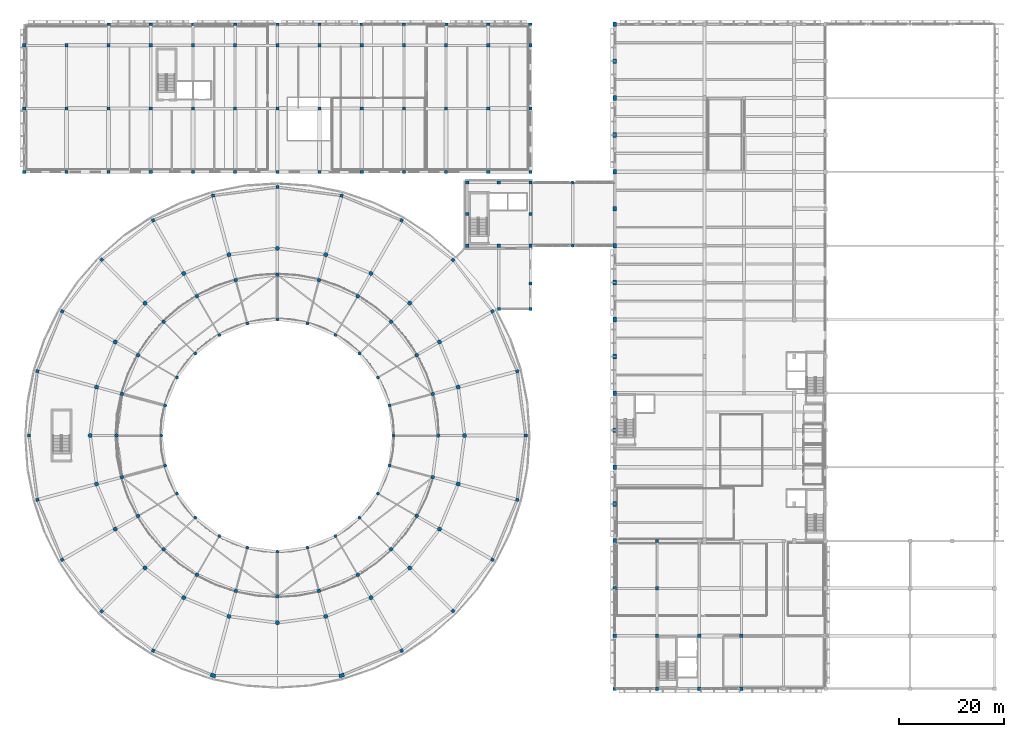
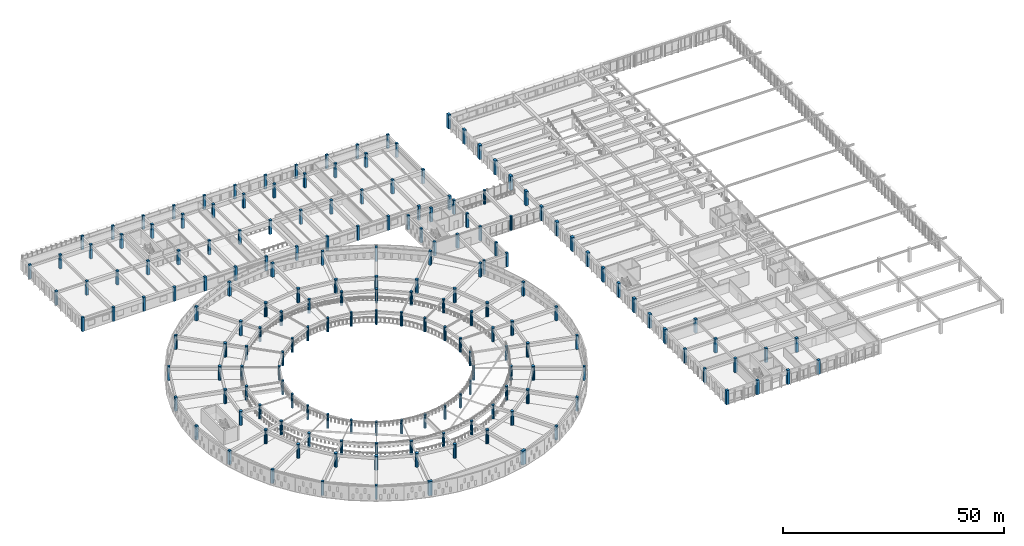
# One storey, part 1 of 98: 184 columns.
"""IFC4 building model written with IfcOpenShell, lengths in metres."""

from ifc_helpers import new_model, si_unit, direction, frame, origin, origin_2d, place, context, subcontext, project, spatial, rectangle, circle, extrude, material, material_profile, profile_set, type_object, element, save


model = new_model("IFC4")

# Units and contexts
model_context = context("Model", 3, precision=1e-05, world=origin(), true_north=direction((0.0, 1.0)))
body_context = subcontext(model_context, "Body", "Model", "MODEL_VIEW")
ifc_project = project(units=[si_unit("LENGTHUNIT", "METRE"), si_unit("AREAUNIT", "SQUARE_METRE"), si_unit("VOLUMEUNIT", "CUBIC_METRE"), si_unit("PLANEANGLEUNIT", "RADIAN"), si_unit("MASSUNIT", "GRAM", prefix="KILO")], contexts=[model_context])

# Site, building, storey
site_placement = place(None, origin())
site = spatial("IfcSite", under=ifc_project, at=site_placement, CompositionType="ELEMENT")
building_placement = place(site_placement, origin())
building = spatial("IfcBuilding", under=site, at=building_placement, Name="Larkveld Mobility Hub", CompositionType="ELEMENT")
storey_placement = place(building_placement, frame((0.0, 0.0, 4.5)))
storey = spatial("IfcBuildingStorey", under=building, at=storey_placement, Name="L01", CompositionType="ELEMENT", Elevation=4.5)

# Columns
ifc_material_1 = material(Name="Precast concrete C50/60", Category="concrete")
ifc_material_profile_1 = material_profile(ifc_material_1, rectangle(XDim=0.64990234375, YDim=0.89990234375, at=origin_2d()), Name="RC COL 650x900")
ifc_profile_set_1 = profile_set([ifc_material_profile_1], Name="Precast concrete C50/60")
column_type_1 = type_object("IfcColumnType", Name="CL-PC6590", PredefinedType="COLUMN", material=ifc_profile_set_1)
for number, where, z_axis, x_axis, name in (
    (1, (112.0, 28.0, 0.0), (0.0, 0.0, 1.0), (1.0, 0.0, 0.0), "Column EV-X112-Y28 (L01)"),
    (2, (112.0, 35.0, 0.0), (0.0, 0.0, 1.0), (1.0, 0.0, 0.0), "Column EV-X112-Y35 (L01)"),
    (3, (112.0, 42.0, 0.0), (0.0, 0.0, 1.0), (1.0, 0.0, 0.0), "Column EV-X112-Y42 (L01)"),
    (4, (112.0, 49.0, 0.0), (0.0, 0.0, 1.0), (1.0, 0.0, 0.0), "Column EV-X112-Y49 (L01)"),
    (5, (112.0, 56.0, 0.0), (0.0, 0.0, 1.0), (1.0, 0.0, 0.0), "Column EV-X112-Y56 (L01)"),
    (6, (112.0, 63.0, 0.0), (0.0, 0.0, 1.0), (1.0, 0.0, 0.0), "Column EV-X112-Y63 (L01)"),
    (7, (112.0, 70.0, 0.0), (0.0, 0.0, 1.0), (1.0, 0.0, 0.0), "Column EV-X112-Y70 (L01)"),
    (8, (112.0, 77.0, 0.0), (0.0, 0.0, 1.0), (1.0, 0.0, 0.0), "Column EV-X112-Y77 (L01)"),
    (9, (112.0, 84.0, 0.0), (0.0, 0.0, 1.0), (1.0, 0.0, 0.0), "Column EV-X112-Y84 (L01)"),
    (10, (112.0, 91.0, 0.0), (0.0, 0.0, 1.0), (1.0, 0.0, 0.0), "Column EV-X112-Y91 (L01)"),
    (11, (112.0, 98.0, 0.0), (0.0, 0.0, 1.0), (1.0, 0.0, 0.0), "Column EV-X112-Y98 (L01)"),
    (12, (112.0, 105.0, 0.0), (0.0, 0.0, 1.0), (1.0, 0.0, 0.0), "Column EV-X112-Y105 (L01)"),
    (13, (112.0, 112.0, 0.0), (0.0, 0.0, 1.0), (1.0, 0.0, 0.0), "Column EV-X112-Y112 (L01)"),
    (14, (112.0, 119.0, 0.0), (0.0, 0.0, 1.0), (1.0, 0.0, 0.0), "Column EV-X112-Y119 (L01)"),
    (15, (112.0, 126.0, 0.0), (0.0, 0.0, 1.0), (1.0, 0.0, 0.0), "Column EV-X112-Y126 (L01)"),
):
    element("IfcColumn", number, at=place(storey_placement, frame(where, z_axis=z_axis, x_axis=x_axis)), inside=storey, type_object=column_type_1, Name=name, PredefinedType="COLUMN", context=body_context, shape_type="SweptSolid", body=[
        extrude(rectangle(XDim=0.64990234375, YDim=0.89990234375, at=origin_2d()), origin(), (0.0, 0.0, 1.0), 3.89990234375),
    ])
ifc_material_profile_2 = material_profile(ifc_material_1, rectangle(XDim=0.449951171875, YDim=0.64990234375, at=origin_2d()), Name="PC PIL 450x650")
ifc_profile_set_2 = profile_set([ifc_material_profile_2], Name="Precast concrete C50/60")
column_type_2 = type_object("IfcColumnType", Name="CL-PIL4565", PredefinedType="PILASTER", material=ifc_profile_set_2)
for number, where, z_axis, x_axis, name in (
    (16, (16.0, 126.0, 0.0), (0.0, 0.0, 1.0), (0.0, 1.0, 0.0), "Column V5-PIL-X16 (L01)"),
    (17, (24.0, 126.0, 0.0), (0.0, 0.0, 1.0), (0.0, 1.0, 0.0), "Column V5-PIL-X24 (L01)"),
    (18, (32.0, 126.0, 0.0), (0.0, 0.0, 1.0), (0.0, 1.0, 0.0), "Column V5-PIL-X32 (L01)"),
    (19, (40.0, 126.0, 0.0), (0.0, 0.0, 1.0), (0.0, 1.0, 0.0), "Column V5-PIL-X40 (L01)"),
    (20, (48.0, 126.0, 0.0), (0.0, 0.0, 1.0), (0.0, 1.0, 0.0), "Column V5-PIL-X48 (L01)"),
    (21, (56.0, 126.0, 0.0), (0.0, 0.0, 1.0), (0.0, 1.0, 0.0), "Column V5-PIL-X56 (L01)"),
    (22, (64.0, 126.0, 0.0), (0.0, 0.0, 1.0), (0.0, 1.0, 0.0), "Column V5-PIL-X64 (L01)"),
    (23, (72.0, 126.0, 0.0), (0.0, 0.0, 1.0), (0.0, 1.0, 0.0), "Column V5-PIL-X72 (L01)"),
    (24, (80.0, 126.0, 0.0), (0.0, 0.0, 1.0), (0.0, 1.0, 0.0), "Column V5-PIL-X80 (L01)"),
    (25, (88.0, 126.0, 0.0), (0.0, 0.0, 1.0), (0.0, 1.0, 0.0), "Column V5-PIL-X88 (L01)"),
    (26, (96.0, 126.0, 0.0), (0.0, 0.0, 1.0), (0.0, 1.0, 0.0), "Column V5-PIL-X96 (L01)"),
):
    element("IfcColumn", number, at=place(storey_placement, frame(where, z_axis=z_axis, x_axis=x_axis)), inside=storey, type_object=column_type_2, Name=name, PredefinedType="PILASTER", context=body_context, shape_type="SweptSolid", body=[
        extrude(rectangle(XDim=0.449951171875, YDim=0.64990234375, at=origin_2d()), origin(), (0.0, 0.0, 1.0), 3.89990234375),
    ])
ifc_material_profile_3 = material_profile(ifc_material_1, rectangle(XDim=0.699951171875, YDim=1.0, at=origin_2d()), Name="PC PIL 700x1000")
ifc_profile_set_3 = profile_set([ifc_material_profile_3], Name="Precast concrete C50/60")
column_type_3 = type_object("IfcColumnType", Name="CL-PIL7010", PredefinedType="PILASTER", material=ifc_profile_set_3)
for number, where, z_axis, x_axis, name in (
    (27, (35.81005859375, 2.5048828125, 0.0), (0.0, 0.0, 1.0), (0.258819045103, 0.965925826289, 0.0), "Column DRM-R47-K34 (L01)"),
    (28, (60.18994140625, 2.5048828125, 0.0), (0.0, 0.0, 1.0), (-0.258819045103, 0.965925826289, 0.0), "Column DRM-R47-K38 (L01)"),
):
    element("IfcColumn", number, at=place(storey_placement, frame(where, z_axis=z_axis, x_axis=x_axis)), inside=storey, type_object=column_type_3, Name=name, PredefinedType="PILASTER", context=body_context, shape_type="SweptSolid", body=[
        extrude(rectangle(XDim=0.699951171875, YDim=1.0, at=origin_2d()), origin(), (0.0, 0.0, 1.0), 3.89990234375),
    ])
ifc_material_2 = material(Name="Concrete C40/50", Category="concrete")
ifc_material_profile_4 = material_profile(ifc_material_2, rectangle(XDim=0.550048828125, YDim=0.550048828125, at=origin_2d()), Name="RC COL 550x550")
ifc_profile_set_4 = profile_set([ifc_material_profile_4], Name="Concrete C40/50")
column_type_4 = type_object("IfcColumnType", Name="CL-RC550", PredefinedType="COLUMN", material=ifc_profile_set_4)
for number, where, z_axis, x_axis, name in (
    (29, (90.0, 72.0, 0.0), (0.0, 0.0, 1.0), (1.0, 0.0, 0.0), "Column DLNK-X90-Y72 (L01)"),
    (30, (96.0, 72.0, 0.0), (0.0, 0.0, 1.0), (1.0, 0.0, 0.0), "Column DLNK-X96-Y72 (L01)"),
    (31, (96.0, 76.800048828125, 0.0), (0.0, 0.0, 1.0), (1.0, 0.0, 0.0), "Column DLNK-X96-Y77 (L01)"),
):
    element("IfcColumn", number, at=place(storey_placement, frame(where, z_axis=z_axis, x_axis=x_axis)), inside=storey, type_object=column_type_4, Name=name, PredefinedType="COLUMN", context=body_context, shape_type="SweptSolid", body=[
        extrude(rectangle(XDim=0.550048828125, YDim=0.550048828125, at=origin_2d()), origin(), (0.0, 0.0, 1.0), 3.89990234375),
    ])
ifc_material_profile_5 = material_profile(ifc_material_2, rectangle(XDim=0.60009765625, YDim=0.60009765625, at=origin_2d()), Name="RC COL 600x600")
ifc_profile_set_5 = profile_set([ifc_material_profile_5], Name="Concrete C40/50")
column_type_5 = type_object("IfcColumnType", Name="CL-RC600", PredefinedType="COLUMN", material=ifc_profile_set_5)
for number, where, z_axis, x_axis, name in (
    (32, (95.10009765625, 48.0, 0.0), (0.0, 0.0, 1.0), (1.0, 0.0, 0.0), "Column DRM-R47-K00 (L01)"),
    (33, (93.4951171875, 60.18994140625, 0.0), (0.0, 0.0, 1.0), (0.965925826289, 0.258819045103, 0.0), "Column DRM-R47-K02 (L01)"),
    (34, (88.7900390625, 71.550048828125, 0.0), (0.0, 0.0, 1.0), (0.866025403784, 0.5, 0.0), "Column DRM-R47-K04 (L01)"),
    (35, (81.304931640625, 81.304931640625, 0.0), (0.0, 0.0, 1.0), (0.707106781187, 0.707106781187, 0.0), "Column DRM-R47-K06 (L01)"),
    (36, (71.550048828125, 88.7900390625, 0.0), (0.0, 0.0, 1.0), (0.5, 0.866025403784, 0.0), "Column DRM-R47-K08 (L01)"),
    (37, (60.18994140625, 93.4951171875, 0.0), (0.0, 0.0, 1.0), (0.258819045103, 0.965925826289, 0.0), "Column DRM-R47-K10 (L01)"),
    (38, (48.0, 95.10009765625, 0.0), (0.0, 0.0, 1.0), (0.0, 1.0, 0.0), "Column DRM-R47-K12 (L01)"),
    (39, (35.81005859375, 93.4951171875, 0.0), (0.0, 0.0, 1.0), (-0.258819045103, 0.965925826289, 0.0), "Column DRM-R47-K14 (L01)"),
    (40, (24.449951171875, 88.7900390625, 0.0), (0.0, 0.0, 1.0), (-0.5, 0.866025403784, 0.0), "Column DRM-R47-K16 (L01)"),
    (41, (14.695068359375, 81.304931640625, 0.0), (0.0, 0.0, 1.0), (-0.707106781187, 0.707106781187, 0.0), "Column DRM-R47-K18 (L01)"),
    (42, (7.2099609375, 71.550048828125, 0.0), (0.0, 0.0, 1.0), (-0.866025403784, 0.5, 0.0), "Column DRM-R47-K20 (L01)"),
    (43, (2.5048828125, 60.18994140625, 0.0), (0.0, 0.0, 1.0), (-0.965925826289, 0.258819045103, 0.0), "Column DRM-R47-K22 (L01)"),
    (44, (0.89990234375, 48.0, 0.0), (0.0, 0.0, 1.0), (1.0, 0.0, 0.0), "Column DRM-R47-K24 (L01)"),
    (45, (2.5048828125, 35.81005859375, 0.0), (0.0, 0.0, 1.0), (0.965925826289, 0.258819045103, 0.0), "Column DRM-R47-K26 (L01)"),
    (46, (7.2099609375, 24.449951171875, 0.0), (0.0, 0.0, 1.0), (0.866025403784, 0.5, 0.0), "Column DRM-R47-K28 (L01)"),
    (47, (14.695068359375, 14.695068359375, 0.0), (0.0, 0.0, 1.0), (0.707106781187, 0.707106781187, 0.0), "Column DRM-R47-K30 (L01)"),
    (48, (24.449951171875, 7.2099609375, 0.0), (0.0, 0.0, 1.0), (0.5, 0.866025403784, 0.0), "Column DRM-R47-K32 (L01)"),
    (49, (71.550048828125, 7.2099609375, 0.0), (0.0, 0.0, 1.0), (-0.5, 0.866025403784, 0.0), "Column DRM-R47-K40 (L01)"),
    (50, (81.304931640625, 14.695068359375, 0.0), (0.0, 0.0, 1.0), (-0.707106781187, 0.707106781187, 0.0), "Column DRM-R47-K42 (L01)"),
    (51, (88.7900390625, 24.449951171875, 0.0), (0.0, 0.0, 1.0), (-0.866025403784, 0.5, 0.0), "Column DRM-R47-K44 (L01)"),
    (52, (93.4951171875, 35.81005859375, 0.0), (0.0, 0.0, 1.0), (-0.965925826289, 0.258819045103, 0.0), "Column DRM-R47-K46 (L01)"),
    (53, (84.0, 84.0, 0.0), (0.0, 0.0, 1.0), (1.0, 0.0, 0.0), "Column PAV-X84-Y84 (L01)"),
    (54, (84.0, 90.0, 0.0), (0.0, 0.0, 1.0), (1.0, 0.0, 0.0), "Column PAV-X84-Y90 (L01)"),
    (55, (84.0, 96.0, 0.0), (0.0, 0.0, 1.0), (1.0, 0.0, 0.0), "Column PAV-X84-Y96 (L01)"),
    (56, (90.0, 84.0, 0.0), (0.0, 0.0, 1.0), (1.0, 0.0, 0.0), "Column PAV-X90-Y84 (L01)"),
    (57, (90.0, 96.0, 0.0), (0.0, 0.0, 1.0), (1.0, 0.0, 0.0), "Column PAV-X90-Y96 (L01)"),
    (58, (96.0, 84.0, 0.0), (0.0, 0.0, 1.0), (1.0, 0.0, 0.0), "Column PAV-X96-Y84 (L01)"),
    (59, (96.0, 90.0, 0.0), (0.0, 0.0, 1.0), (1.0, 0.0, 0.0), "Column PAV-X96-Y90 (L01)"),
    (60, (96.0, 96.0, 0.0), (0.0, 0.0, 1.0), (1.0, 0.0, 0.0), "Column PAV-X96-Y96 (L01)"),
    (61, (0.0, 98.0, 0.0), (0.0, 0.0, 1.0), (1.0, 0.0, 0.0), "Column V5-X0-Y98 (L01)"),
    (62, (0.0, 110.0, 0.0), (0.0, 0.0, 1.0), (1.0, 0.0, 0.0), "Column V5-X0-Y110 (L01)"),
    (63, (0.0, 122.0, 0.0), (0.0, 0.0, 1.0), (1.0, 0.0, 0.0), "Column V5-X0-Y122 (L01)"),
    (64, (8.0, 98.0, 0.0), (0.0, 0.0, 1.0), (1.0, 0.0, 0.0), "Column V5-X8-Y98 (L01)"),
    (65, (8.0, 110.0, 0.0), (0.0, 0.0, 1.0), (1.0, 0.0, 0.0), "Column V5-X8-Y110 (L01)"),
    (66, (8.0, 122.0, 0.0), (0.0, 0.0, 1.0), (1.0, 0.0, 0.0), "Column V5-X8-Y122 (L01)"),
    (67, (16.0, 98.0, 0.0), (0.0, 0.0, 1.0), (1.0, 0.0, 0.0), "Column V5-X16-Y98 (L01)"),
    (68, (16.0, 110.0, 0.0), (0.0, 0.0, 1.0), (1.0, 0.0, 0.0), "Column V5-X16-Y110 (L01)"),
    (69, (16.0, 122.0, 0.0), (0.0, 0.0, 1.0), (1.0, 0.0, 0.0), "Column V5-X16-Y122 (L01)"),
    (70, (24.0, 98.0, 0.0), (0.0, 0.0, 1.0), (1.0, 0.0, 0.0), "Column V5-X24-Y98 (L01)"),
    (71, (24.0, 110.0, 0.0), (0.0, 0.0, 1.0), (1.0, 0.0, 0.0), "Column V5-X24-Y110 (L01)"),
    (72, (24.0, 122.0, 0.0), (0.0, 0.0, 1.0), (1.0, 0.0, 0.0), "Column V5-X24-Y122 (L01)"),
    (73, (32.0, 98.0, 0.0), (0.0, 0.0, 1.0), (1.0, 0.0, 0.0), "Column V5-X32-Y98 (L01)"),
    (74, (32.0, 110.0, 0.0), (0.0, 0.0, 1.0), (1.0, 0.0, 0.0), "Column V5-X32-Y110 (L01)"),
    (75, (32.0, 122.0, 0.0), (0.0, 0.0, 1.0), (1.0, 0.0, 0.0), "Column V5-X32-Y122 (L01)"),
    (76, (40.0, 98.0, 0.0), (0.0, 0.0, 1.0), (1.0, 0.0, 0.0), "Column V5-X40-Y98 (L01)"),
    (77, (40.0, 110.0, 0.0), (0.0, 0.0, 1.0), (1.0, 0.0, 0.0), "Column V5-X40-Y110 (L01)"),
    (78, (40.0, 122.0, 0.0), (0.0, 0.0, 1.0), (1.0, 0.0, 0.0), "Column V5-X40-Y122 (L01)"),
    (79, (48.0, 98.0, 0.0), (0.0, 0.0, 1.0), (1.0, 0.0, 0.0), "Column V5-X48-Y98 (L01)"),
    (80, (48.0, 110.0, 0.0), (0.0, 0.0, 1.0), (1.0, 0.0, 0.0), "Column V5-X48-Y110 (L01)"),
    (81, (48.0, 122.0, 0.0), (0.0, 0.0, 1.0), (1.0, 0.0, 0.0), "Column V5-X48-Y122 (L01)"),
    (82, (56.0, 98.0, 0.0), (0.0, 0.0, 1.0), (1.0, 0.0, 0.0), "Column V5-X56-Y98 (L01)"),
    (83, (56.0, 110.0, 0.0), (0.0, 0.0, 1.0), (1.0, 0.0, 0.0), "Column V5-X56-Y110 (L01)"),
    (84, (56.0, 122.0, 0.0), (0.0, 0.0, 1.0), (1.0, 0.0, 0.0), "Column V5-X56-Y122 (L01)"),
    (85, (64.0, 98.0, 0.0), (0.0, 0.0, 1.0), (1.0, 0.0, 0.0), "Column V5-X64-Y98 (L01)"),
    (86, (64.0, 110.0, 0.0), (0.0, 0.0, 1.0), (1.0, 0.0, 0.0), "Column V5-X64-Y110 (L01)"),
    (87, (64.0, 122.0, 0.0), (0.0, 0.0, 1.0), (1.0, 0.0, 0.0), "Column V5-X64-Y122 (L01)"),
    (88, (72.0, 98.0, 0.0), (0.0, 0.0, 1.0), (1.0, 0.0, 0.0), "Column V5-X72-Y98 (L01)"),
    (89, (72.0, 110.0, 0.0), (0.0, 0.0, 1.0), (1.0, 0.0, 0.0), "Column V5-X72-Y110 (L01)"),
    (90, (72.0, 122.0, 0.0), (0.0, 0.0, 1.0), (1.0, 0.0, 0.0), "Column V5-X72-Y122 (L01)"),
    (91, (80.0, 98.0, 0.0), (0.0, 0.0, 1.0), (1.0, 0.0, 0.0), "Column V5-X80-Y98 (L01)"),
    (92, (80.0, 110.0, 0.0), (0.0, 0.0, 1.0), (1.0, 0.0, 0.0), "Column V5-X80-Y110 (L01)"),
    (93, (80.0, 122.0, 0.0), (0.0, 0.0, 1.0), (1.0, 0.0, 0.0), "Column V5-X80-Y122 (L01)"),
    (94, (88.0, 98.0, 0.0), (0.0, 0.0, 1.0), (1.0, 0.0, 0.0), "Column V5-X88-Y98 (L01)"),
    (95, (88.0, 110.0, 0.0), (0.0, 0.0, 1.0), (1.0, 0.0, 0.0), "Column V5-X88-Y110 (L01)"),
    (96, (88.0, 122.0, 0.0), (0.0, 0.0, 1.0), (1.0, 0.0, 0.0), "Column V5-X88-Y122 (L01)"),
    (97, (96.0, 98.0, 0.0), (0.0, 0.0, 1.0), (1.0, 0.0, 0.0), "Column V5-X96-Y98 (L01)"),
    (98, (96.0, 110.0, 0.0), (0.0, 0.0, 1.0), (1.0, 0.0, 0.0), "Column V5-X96-Y110 (L01)"),
    (99, (96.0, 122.0, 0.0), (0.0, 0.0, 1.0), (1.0, 0.0, 0.0), "Column V5-X96-Y122 (L01)"),
):
    element("IfcColumn", number, at=place(storey_placement, frame(where, z_axis=z_axis, x_axis=x_axis)), inside=storey, type_object=column_type_5, Name=name, PredefinedType="COLUMN", context=body_context, shape_type="SweptSolid", body=[
        extrude(rectangle(XDim=0.60009765625, YDim=0.60009765625, at=origin_2d()), origin(), (0.0, 0.0, 1.0), 3.89990234375),
    ])
ifc_material_profile_6 = material_profile(ifc_material_2, rectangle(XDim=0.64990234375, YDim=0.64990234375, at=origin_2d()), Name="RC COL 650x650")
ifc_profile_set_6 = profile_set([ifc_material_profile_6], Name="Concrete C40/50")
column_type_6 = type_object("IfcColumnType", Name="CL-RC650", PredefinedType="COLUMN", material=ifc_profile_set_6)
for number, where, z_axis, x_axis, name in (
    (100, (112.0, 0.0, 0.0), (0.0, 0.0, 1.0), (1.0, 0.0, 0.0), "Column V6-X112-Y0 (L01)"),
    (101, (112.0, 10.0, 0.0), (0.0, 0.0, 1.0), (1.0, 0.0, 0.0), "Column V6-X112-Y10 (L01)"),
    (102, (112.0, 19.0, 0.0), (0.0, 0.0, 1.0), (1.0, 0.0, 0.0), "Column V6-X112-Y19 (L01)"),
    (103, (120.0, 0.0, 0.0), (0.0, 0.0, 1.0), (1.0, 0.0, 0.0), "Column V6-X120-Y0 (L01)"),
    (104, (120.0, 10.0, 0.0), (0.0, 0.0, 1.0), (1.0, 0.0, 0.0), "Column V6-X120-Y10 (L01)"),
    (105, (120.0, 19.0, 0.0), (0.0, 0.0, 1.0), (1.0, 0.0, 0.0), "Column V6-X120-Y19 (L01)"),
    (106, (120.0, 28.0, 0.0), (0.0, 0.0, 1.0), (1.0, 0.0, 0.0), "Column V6-X120-Y28 (L01)"),
    (107, (128.0, 0.0, 0.0), (0.0, 0.0, 1.0), (1.0, 0.0, 0.0), "Column V6-X128-Y0 (L01)"),
    (108, (128.0, 10.0, 0.0), (0.0, 0.0, 1.0), (1.0, 0.0, 0.0), "Column V6-X128-Y10 (L01)"),
    (109, (136.0, 0.0, 0.0), (0.0, 0.0, 1.0), (1.0, 0.0, 0.0), "Column V6-X136-Y0 (L01)"),
    (110, (136.0, 10.0, 0.0), (0.0, 0.0, 1.0), (1.0, 0.0, 0.0), "Column V6-X136-Y10 (L01)"),
):
    element("IfcColumn", number, at=place(storey_placement, frame(where, z_axis=z_axis, x_axis=x_axis)), inside=storey, type_object=column_type_6, Name=name, PredefinedType="COLUMN", context=body_context, shape_type="SweptSolid", body=[
        extrude(rectangle(XDim=0.64990234375, YDim=0.64990234375, at=origin_2d()), origin(), (0.0, 0.0, 1.0), 3.89990234375),
    ])
ifc_material_profile_7 = material_profile(ifc_material_2, circle(Radius=0.300048828125, at=origin_2d()), Name="RC COL D600")
ifc_profile_set_7 = profile_set([ifc_material_profile_7], Name="Concrete C40/50")
column_type_7 = type_object("IfcColumnType", Name="CL-RCD600", PredefinedType="COLUMN", material=ifc_profile_set_7)
for number, where, z_axis, x_axis, name in (
    (111, (70.0, 48.0, 0.0), (0.0, 0.0, 1.0), (1.0, 0.0, 0.0), "Column DRM-R22-K00 (L01)"),
    (112, (69.25, 53.694091796875, 0.0), (0.0, 0.0, 1.0), (1.0, 0.0, 0.0), "Column DRM-R22-K02 (L01)"),
    (113, (67.052978515625, 59.0, 0.0), (0.0, 0.0, 1.0), (1.0, 0.0, 0.0), "Column DRM-R22-K04 (L01)"),
    (114, (63.555908203125, 63.555908203125, 0.0), (0.0, 0.0, 1.0), (1.0, 0.0, 0.0), "Column DRM-R22-K06 (L01)"),
    (115, (59.0, 67.052978515625, 0.0), (0.0, 0.0, 1.0), (1.0, 0.0, 0.0), "Column DRM-R22-K08 (L01)"),
    (116, (53.694091796875, 69.25, 0.0), (0.0, 0.0, 1.0), (1.0, 0.0, 0.0), "Column DRM-R22-K10 (L01)"),
    (117, (48.0, 70.0, 0.0), (0.0, 0.0, 1.0), (1.0, 0.0, 0.0), "Column DRM-R22-K12 (L01)"),
    (118, (42.305908203125, 69.25, 0.0), (0.0, 0.0, 1.0), (1.0, 0.0, 0.0), "Column DRM-R22-K14 (L01)"),
    (119, (37.0, 67.052978515625, 0.0), (0.0, 0.0, 1.0), (1.0, 0.0, 0.0), "Column DRM-R22-K16 (L01)"),
    (120, (32.444091796875, 63.555908203125, 0.0), (0.0, 0.0, 1.0), (1.0, 0.0, 0.0), "Column DRM-R22-K18 (L01)"),
    (121, (28.947021484375, 59.0, 0.0), (0.0, 0.0, 1.0), (1.0, 0.0, 0.0), "Column DRM-R22-K20 (L01)"),
    (122, (26.75, 53.694091796875, 0.0), (0.0, 0.0, 1.0), (1.0, 0.0, 0.0), "Column DRM-R22-K22 (L01)"),
    (123, (26.0, 48.0, 0.0), (0.0, 0.0, 1.0), (1.0, 0.0, 0.0), "Column DRM-R22-K24 (L01)"),
    (124, (26.75, 42.305908203125, 0.0), (0.0, 0.0, 1.0), (1.0, 0.0, 0.0), "Column DRM-R22-K26 (L01)"),
    (125, (28.947021484375, 37.0, 0.0), (0.0, 0.0, 1.0), (1.0, 0.0, 0.0), "Column DRM-R22-K28 (L01)"),
    (126, (32.444091796875, 32.444091796875, 0.0), (0.0, 0.0, 1.0), (1.0, 0.0, 0.0), "Column DRM-R22-K30 (L01)"),
    (127, (37.0, 28.947021484375, 0.0), (0.0, 0.0, 1.0), (1.0, 0.0, 0.0), "Column DRM-R22-K32 (L01)"),
    (128, (42.305908203125, 26.75, 0.0), (0.0, 0.0, 1.0), (1.0, 0.0, 0.0), "Column DRM-R22-K34 (L01)"),
    (129, (48.0, 26.0, 0.0), (0.0, 0.0, 1.0), (1.0, 0.0, 0.0), "Column DRM-R22-K36 (L01)"),
    (130, (53.694091796875, 26.75, 0.0), (0.0, 0.0, 1.0), (1.0, 0.0, 0.0), "Column DRM-R22-K38 (L01)"),
    (131, (59.0, 28.947021484375, 0.0), (0.0, 0.0, 1.0), (1.0, 0.0, 0.0), "Column DRM-R22-K40 (L01)"),
    (132, (63.555908203125, 32.444091796875, 0.0), (0.0, 0.0, 1.0), (1.0, 0.0, 0.0), "Column DRM-R22-K42 (L01)"),
    (133, (67.052978515625, 37.0, 0.0), (0.0, 0.0, 1.0), (1.0, 0.0, 0.0), "Column DRM-R22-K44 (L01)"),
    (134, (69.25, 42.305908203125, 0.0), (0.0, 0.0, 1.0), (1.0, 0.0, 0.0), "Column DRM-R22-K46 (L01)"),
    (135, (104.0, 84.0, 0.0), (0.0, 0.0, 1.0), (1.0, 0.0, 0.0), "Column BRG-X104-Y84 (L01)"),
    (136, (104.0, 96.0, 0.0), (0.0, 0.0, 1.0), (1.0, 0.0, 0.0), "Column BRG-X104-Y96 (L01)"),
):
    element("IfcColumn", number, at=place(storey_placement, frame(where, z_axis=z_axis, x_axis=x_axis)), inside=storey, type_object=column_type_7, Name=name, PredefinedType="COLUMN", context=body_context, shape_type="SweptSolid", body=[
        extrude(circle(Radius=0.300048828125, at=origin_2d()), origin(), (0.0, 0.0, 1.0), 3.89990234375),
    ])
ifc_material_profile_8 = material_profile(ifc_material_2, circle(Radius=0.35009765625, at=origin_2d()), Name="RC COL D700")
ifc_profile_set_8 = profile_set([ifc_material_profile_8], Name="Concrete C40/50")
column_type_8 = type_object("IfcColumnType", Name="CL-RCD700", PredefinedType="COLUMN", material=ifc_profile_set_8)
for number, where, z_axis, x_axis, name in (
    (137, (78.5, 48.0, 0.0), (0.0, 0.0, 1.0), (1.0, 0.0, 0.0), "Column DRM-R30-K00 (L01)"),
    (138, (77.4609375, 55.89404296875, 0.0), (0.0, 0.0, 1.0), (1.0, 0.0, 0.0), "Column DRM-R30-K02 (L01)"),
    (139, (74.4140625, 63.25, 0.0), (0.0, 0.0, 1.0), (1.0, 0.0, 0.0), "Column DRM-R30-K04 (L01)"),
    (140, (69.56689453125, 69.56689453125, 0.0), (0.0, 0.0, 1.0), (1.0, 0.0, 0.0), "Column DRM-R30-K06 (L01)"),
    (141, (63.25, 74.4140625, 0.0), (0.0, 0.0, 1.0), (1.0, 0.0, 0.0), "Column DRM-R30-K08 (L01)"),
    (142, (55.89404296875, 77.4609375, 0.0), (0.0, 0.0, 1.0), (1.0, 0.0, 0.0), "Column DRM-R30-K10 (L01)"),
    (143, (48.0, 78.5, 0.0), (0.0, 0.0, 1.0), (1.0, 0.0, 0.0), "Column DRM-R30-K12 (L01)"),
    (144, (40.10595703125, 77.4609375, 0.0), (0.0, 0.0, 1.0), (1.0, 0.0, 0.0), "Column DRM-R30-K14 (L01)"),
    (145, (32.75, 74.4140625, 0.0), (0.0, 0.0, 1.0), (1.0, 0.0, 0.0), "Column DRM-R30-K16 (L01)"),
    (146, (26.43310546875, 69.56689453125, 0.0), (0.0, 0.0, 1.0), (1.0, 0.0, 0.0), "Column DRM-R30-K18 (L01)"),
    (147, (21.5859375, 63.25, 0.0), (0.0, 0.0, 1.0), (1.0, 0.0, 0.0), "Column DRM-R30-K20 (L01)"),
    (148, (18.5390625, 55.89404296875, 0.0), (0.0, 0.0, 1.0), (1.0, 0.0, 0.0), "Column DRM-R30-K22 (L01)"),
    (149, (17.5, 48.0, 0.0), (0.0, 0.0, 1.0), (1.0, 0.0, 0.0), "Column DRM-R30-K24 (L01)"),
    (150, (18.5390625, 40.10595703125, 0.0), (0.0, 0.0, 1.0), (1.0, 0.0, 0.0), "Column DRM-R30-K26 (L01)"),
    (151, (21.5859375, 32.75, 0.0), (0.0, 0.0, 1.0), (1.0, 0.0, 0.0), "Column DRM-R30-K28 (L01)"),
    (152, (26.43310546875, 26.43310546875, 0.0), (0.0, 0.0, 1.0), (1.0, 0.0, 0.0), "Column DRM-R30-K30 (L01)"),
    (153, (32.75, 21.5859375, 0.0), (0.0, 0.0, 1.0), (1.0, 0.0, 0.0), "Column DRM-R30-K32 (L01)"),
    (154, (40.10595703125, 18.5390625, 0.0), (0.0, 0.0, 1.0), (1.0, 0.0, 0.0), "Column DRM-R30-K34 (L01)"),
    (155, (48.0, 17.5, 0.0), (0.0, 0.0, 1.0), (1.0, 0.0, 0.0), "Column DRM-R30-K36 (L01)"),
    (156, (55.89404296875, 18.5390625, 0.0), (0.0, 0.0, 1.0), (1.0, 0.0, 0.0), "Column DRM-R30-K38 (L01)"),
    (157, (63.25, 21.5859375, 0.0), (0.0, 0.0, 1.0), (1.0, 0.0, 0.0), "Column DRM-R30-K40 (L01)"),
    (158, (69.56689453125, 26.43310546875, 0.0), (0.0, 0.0, 1.0), (1.0, 0.0, 0.0), "Column DRM-R30-K42 (L01)"),
    (159, (74.4140625, 32.75, 0.0), (0.0, 0.0, 1.0), (1.0, 0.0, 0.0), "Column DRM-R30-K44 (L01)"),
    (160, (77.4609375, 40.10595703125, 0.0), (0.0, 0.0, 1.0), (1.0, 0.0, 0.0), "Column DRM-R30-K46 (L01)"),
):
    element("IfcColumn", number, at=place(storey_placement, frame(where, z_axis=z_axis, x_axis=x_axis)), inside=storey, type_object=column_type_8, Name=name, PredefinedType="COLUMN", context=body_context, shape_type="SweptSolid", body=[
        extrude(circle(Radius=0.35009765625, at=origin_2d()), origin(), (0.0, 0.0, 1.0), 3.89990234375),
    ])
ifc_material_profile_9 = material_profile(ifc_material_2, circle(Radius=0.39990234375, at=origin_2d()), Name="RC COL D800")
ifc_profile_set_9 = profile_set([ifc_material_profile_9], Name="Concrete C40/50")
column_type_9 = type_object("IfcColumnType", Name="CL-RCD800", PredefinedType="COLUMN", material=ifc_profile_set_9)
for number, where, z_axis, x_axis, name in (
    (161, (83.5, 48.0, 0.0), (0.0, 0.0, 1.0), (1.0, 0.0, 0.0), "Column DRM-R35-K00 (L01)"),
    (162, (82.2900390625, 57.18798828125, 0.0), (0.0, 0.0, 1.0), (1.0, 0.0, 0.0), "Column DRM-R35-K02 (L01)"),
    (163, (78.743896484375, 65.75, 0.0), (0.0, 0.0, 1.0), (1.0, 0.0, 0.0), "Column DRM-R35-K04 (L01)"),
    (164, (73.10205078125, 73.10205078125, 0.0), (0.0, 0.0, 1.0), (1.0, 0.0, 0.0), "Column DRM-R35-K06 (L01)"),
    (165, (65.75, 78.743896484375, 0.0), (0.0, 0.0, 1.0), (1.0, 0.0, 0.0), "Column DRM-R35-K08 (L01)"),
    (166, (57.18798828125, 82.2900390625, 0.0), (0.0, 0.0, 1.0), (1.0, 0.0, 0.0), "Column DRM-R35-K10 (L01)"),
    (167, (48.0, 83.5, 0.0), (0.0, 0.0, 1.0), (1.0, 0.0, 0.0), "Column DRM-R35-K12 (L01)"),
    (168, (38.81201171875, 82.2900390625, 0.0), (0.0, 0.0, 1.0), (1.0, 0.0, 0.0), "Column DRM-R35-K14 (L01)"),
    (169, (30.25, 78.743896484375, 0.0), (0.0, 0.0, 1.0), (1.0, 0.0, 0.0), "Column DRM-R35-K16 (L01)"),
    (170, (22.89794921875, 73.10205078125, 0.0), (0.0, 0.0, 1.0), (1.0, 0.0, 0.0), "Column DRM-R35-K18 (L01)"),
    (171, (17.256103515625, 65.75, 0.0), (0.0, 0.0, 1.0), (1.0, 0.0, 0.0), "Column DRM-R35-K20 (L01)"),
    (172, (13.7099609375, 57.18798828125, 0.0), (0.0, 0.0, 1.0), (1.0, 0.0, 0.0), "Column DRM-R35-K22 (L01)"),
    (173, (12.5, 48.0, 0.0), (0.0, 0.0, 1.0), (1.0, 0.0, 0.0), "Column DRM-R35-K24 (L01)"),
    (174, (13.7099609375, 38.81201171875, 0.0), (0.0, 0.0, 1.0), (1.0, 0.0, 0.0), "Column DRM-R35-K26 (L01)"),
    (175, (17.256103515625, 30.25, 0.0), (0.0, 0.0, 1.0), (1.0, 0.0, 0.0), "Column DRM-R35-K28 (L01)"),
    (176, (22.89794921875, 22.89794921875, 0.0), (0.0, 0.0, 1.0), (1.0, 0.0, 0.0), "Column DRM-R35-K30 (L01)"),
    (177, (30.25, 17.256103515625, 0.0), (0.0, 0.0, 1.0), (1.0, 0.0, 0.0), "Column DRM-R35-K32 (L01)"),
    (178, (38.81201171875, 13.7099609375, 0.0), (0.0, 0.0, 1.0), (1.0, 0.0, 0.0), "Column DRM-R35-K34 (L01)"),
    (179, (48.0, 12.5, 0.0), (0.0, 0.0, 1.0), (1.0, 0.0, 0.0), "Column DRM-R35-K36 (L01)"),
    (180, (57.18798828125, 13.7099609375, 0.0), (0.0, 0.0, 1.0), (1.0, 0.0, 0.0), "Column DRM-R35-K38 (L01)"),
    (181, (65.75, 17.256103515625, 0.0), (0.0, 0.0, 1.0), (1.0, 0.0, 0.0), "Column DRM-R35-K40 (L01)"),
    (182, (73.10205078125, 22.89794921875, 0.0), (0.0, 0.0, 1.0), (1.0, 0.0, 0.0), "Column DRM-R35-K42 (L01)"),
    (183, (78.743896484375, 30.25, 0.0), (0.0, 0.0, 1.0), (1.0, 0.0, 0.0), "Column DRM-R35-K44 (L01)"),
    (184, (82.2900390625, 38.81201171875, 0.0), (0.0, 0.0, 1.0), (1.0, 0.0, 0.0), "Column DRM-R35-K46 (L01)"),
):
    element("IfcColumn", number, at=place(storey_placement, frame(where, z_axis=z_axis, x_axis=x_axis)), inside=storey, type_object=column_type_9, Name=name, PredefinedType="COLUMN", context=body_context, shape_type="SweptSolid", body=[
        extrude(circle(Radius=0.39990234375, at=origin_2d()), origin(), (0.0, 0.0, 1.0), 3.89990234375),
    ])

save(model, "model.ifc")
